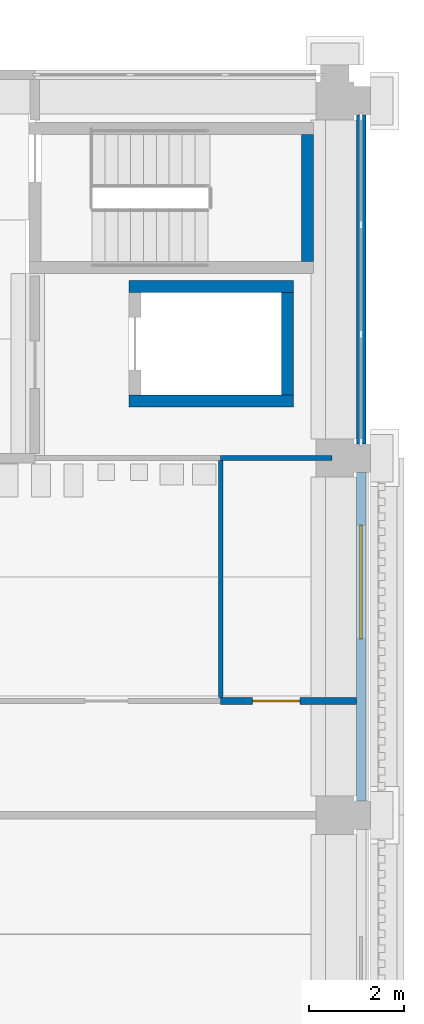
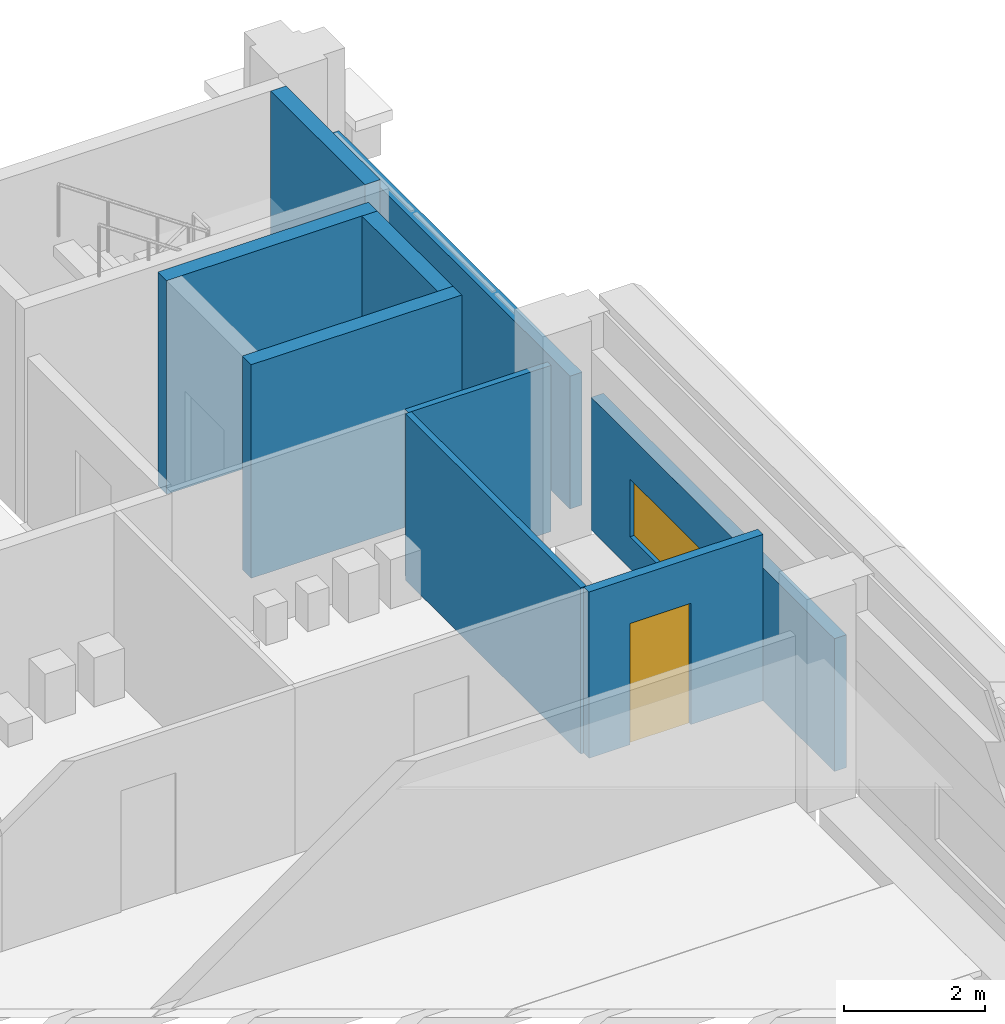
# One storey, part 37 of 71: 9 walls, 1 door, 1 window, 2 openings.
"""IFC4 building model written with IfcOpenShell, lengths in metres."""

import ifcopenshell
import ifcopenshell.guid

model = None  # the IFC model being written
_history = None  # IfcOwnerHistory: only IFC2X3 demands one
_inside = {}  # id of a spatial element -> (the spatial element, [elements in it])
_under = {}  # id of a project, library or spatial element -> (it, [spatial elements below it])
_declared = {}  # id of a project -> (the project, [libraries it declares])
_typed = {}  # id of a type object -> (the type object, [elements of that type])
_made_of = {}  # id of a material, layer set ... -> (it, [elements and type objects made of it])


def new_model(schema):
    """Start an empty IFC model of exactly this schema.

    Asked for "IFC4X3", IfcOpenShell would pick the latest addendum, in which some entities
    have other attributes; the version numbers below select the first issue.
    IFC2X3 requires an IfcOwnerHistory on every rooted entity: one is made here for all.
    """
    global model, _history
    if schema == "IFC4X3":
        model = ifcopenshell.file(schema_version=(4, 3, 0, 0))
    else:
        model = ifcopenshell.file(schema=schema)
    _inside.clear()
    _under.clear()
    _declared.clear()
    _typed.clear()
    _made_of.clear()
    _history = None
    if model.schema == "IFC2X3":
        org = make("IfcOrganization", Name="unknown")
        user = make(
            "IfcPersonAndOrganization",
            ThePerson=make("IfcPerson", FamilyName="unknown"),
            TheOrganization=org,
        )
        app = make(
            "IfcApplication",
            ApplicationDeveloper=org,
            Version="unknown",
            ApplicationFullName="unknown",
            ApplicationIdentifier="unknown",
        )
        _history = make(
            "IfcOwnerHistory",
            OwningUser=user,
            OwningApplication=app,
            ChangeAction="ADDED",
            CreationDate=0,
        )
    return model


def make(cls, **values):
    """One entity of the class cls with the attributes given. An attribute that is None is left unset."""
    return model.create_entity(
        cls, **{name: value for name, value in values.items() if value is not None}
    )


def rooted(cls, **values):
    """An entity with a GlobalId (a new one), such as an element, a storey or a relation."""
    return make(cls, GlobalId=ifcopenshell.guid.new(), OwnerHistory=_history, **values)


def si_unit(unit_type, name, prefix=None):
    """IfcSIUnit, for example si_unit("LENGTHUNIT", "METRE", prefix="MILLI")."""
    return make("IfcSIUnit", UnitType=unit_type, Prefix=prefix, Name=name)


def assignment(units):
    """IfcUnitAssignment: the units of a project."""
    return None if units is None else make("IfcUnitAssignment", Units=units)


def point(xyz):
    """IfcCartesianPoint."""
    return None if xyz is None else make("IfcCartesianPoint", Coordinates=xyz)


def direction(xyz):
    """IfcDirection."""
    return None if xyz is None else make("IfcDirection", DirectionRatios=xyz)


def frame(location, z_axis=None, x_axis=None):
    """IfcAxis2Placement3D, a coordinate frame: its origin and axes. An axis left out is left unset."""
    return make(
        "IfcAxis2Placement3D",
        Location=point(location),
        Axis=direction(z_axis),
        RefDirection=direction(x_axis),
    )


def frame_2d(location, x_axis=None):
    """IfcAxis2Placement2D, a coordinate frame in the plane: its origin and x axis."""
    return make(
        "IfcAxis2Placement2D", Location=point(location), RefDirection=direction(x_axis)
    )


def origin():
    """The frame at (0, 0, 0) with its axes left unset."""
    return frame((0.0, 0.0, 0.0))


def place(relative_to, where):
    """IfcLocalPlacement: puts the frame where relative to a parent placement (None: the world)."""
    return make(
        "IfcLocalPlacement", PlacementRelTo=relative_to, RelativePlacement=where
    )


def context(
    kind, dimensions, precision=None, world=None, true_north=None, identifier=None
):
    """IfcGeometricRepresentationContext, for example the 3D "Model" context."""
    return make(
        "IfcGeometricRepresentationContext",
        ContextIdentifier=identifier,
        ContextType=kind,
        CoordinateSpaceDimension=dimensions,
        Precision=precision,
        WorldCoordinateSystem=world,
        TrueNorth=true_north,
    )


def subcontext(parent, identifier, kind, view, scale=None):
    """IfcGeometricRepresentationSubContext, for example "Body" below "Model"."""
    return make(
        "IfcGeometricRepresentationSubContext",
        ContextIdentifier=identifier,
        ContextType=kind,
        ParentContext=parent,
        TargetScale=scale,
        TargetView=view,
    )


def project(units=None, contexts=None):
    """IfcProject with its units and contexts."""
    return rooted(
        "IfcProject",
        Name="project",
        RepresentationContexts=contexts,
        UnitsInContext=assignment(units),
    )


def spatial(cls, under=None, at=None, **own):
    """A site, building, storey or space (cls), placed at a placement, below another one or the project."""
    s = rooted(cls, ObjectPlacement=at, **own)
    if under is not None:
        _under.setdefault(under.id(), (under, []))[1].append(s)
    return s


def profile(cls, at=None, kind="AREA", **sizes):
    """A parametric profile (cls). Its sizes go by their IFC names, for example OverallWidth=200.0."""
    return make(cls, ProfileType=kind, Position=at, **sizes)


def rectangle(**sizes):
    """IfcRectangleProfileDef."""
    return profile("IfcRectangleProfileDef", **sizes)


def extrude(swept, where, along, depth):
    """IfcExtrudedAreaSolid: the profile swept, set in the frame where, extruded along a direction by depth."""
    return make(
        "IfcExtrudedAreaSolid",
        SweptArea=swept,
        Position=where,
        ExtrudedDirection=direction(along),
        Depth=depth,
    )


def shape(context_of_items, identifier, shape_type, items):
    """IfcShapeRepresentation: the items that make up one representation, for example the "Body"."""
    return make(
        "IfcShapeRepresentation",
        ContextOfItems=context_of_items,
        RepresentationIdentifier=identifier,
        RepresentationType=shape_type,
        Items=items,
    )


def material(Name=None, Category=None):
    """IfcMaterial."""
    return make("IfcMaterial", Name=Name, Category=Category)


def layer(
    of_material, thickness, ventilated=None, Name=None, Category=None, Priority=None
):
    """IfcMaterialLayer: one layer of a wall or slab, of a material (None: an air gap)."""
    return make(
        "IfcMaterialLayer",
        Material=of_material,
        LayerThickness=thickness,
        IsVentilated=ventilated,
        Name=Name,
        Category=Category,
        Priority=Priority,
    )


def layer_set(layers, Name=None):
    """IfcMaterialLayerSet."""
    return make("IfcMaterialLayerSet", MaterialLayers=layers, LayerSetName=Name)


def made_of(thing, what):
    """Note that an element or type object is made of a material, layer set ...; save() writes the relation."""
    if what is not None:
        _made_of.setdefault(what.id(), (what, []))[1].append(thing)
    return thing


def type_object(cls, material=None, **own):
    """A type object (cls), such as IfcWallType, which elements share."""
    return made_of(rooted(cls, **own), material)


def element(
    cls,
    number,
    at=None,
    inside=None,
    cuts=None,
    type_object=None,
    material=None,
    context=None,
    identifier="Body",
    shape_type=None,
    held_by="IfcProductDefinitionShape",
    body=None,
    shapes=None,
    **own,
):
    """One element of the class cls, such as IfcWall. Its Tag is "e" and its number.

    at: its placement. inside: the storey or other place that contains it. cuts: it is an
    opening in that element (IfcRelVoidsElement). A single representation is given by context,
    identifier, shape_type and body (its items); several are given by shapes. held_by: the class
    of the entity that holds the representations. save() writes the other relations.
    """
    e = rooted(cls, Tag="e%d" % number, ObjectPlacement=at, **own)
    if body is not None:
        shapes = [shape(context, identifier, shape_type, body)]
    if shapes is not None:
        e.Representation = make(held_by, Representations=shapes)
    if inside is not None:
        _inside.setdefault(inside.id(), (inside, []))[1].append(e)
    if cuts is not None:
        rooted(
            "IfcRelVoidsElement", RelatingBuildingElement=cuts, RelatedOpeningElement=e
        )
    if type_object is not None:
        _typed.setdefault(type_object.id(), (type_object, []))[1].append(e)
    return made_of(e, material)


def fill(opening, filler):
    """IfcRelFillsElement: the door or window that sits in an opening."""
    return rooted(
        "IfcRelFillsElement",
        RelatingOpeningElement=opening,
        RelatedBuildingElement=filler,
    )


def aggregate(whole, parts):
    """IfcRelAggregates: a whole, such as a stair, and the parts it consists of."""
    return rooted("IfcRelAggregates", RelatingObject=whole, RelatedObjects=parts)


def save(model, path):
    """Write the relations noted so far, then the file.

    IfcRelAggregates (storeys below a building ...), IfcRelContainedInSpatialStructure (elements
    in a storey), IfcRelDefinesByType, IfcRelAssociatesMaterial and IfcRelDeclares: one each for
    every whole, place, type object, material and project.
    """
    for whole, parts in _under.values():
        aggregate(whole, parts)
    for where, things in _inside.values():
        rooted(
            "IfcRelContainedInSpatialStructure",
            RelatedElements=things,
            RelatingStructure=where,
        )
    for kind, things in _typed.values():
        rooted("IfcRelDefinesByType", RelatedObjects=things, RelatingType=kind)
    for what, things in _made_of.values():
        rooted("IfcRelAssociatesMaterial", RelatedObjects=things, RelatingMaterial=what)
    for by, libraries in _declared.values():
        rooted("IfcRelDeclares", RelatingContext=by, RelatedDefinitions=libraries)
    model.write(path)


model = new_model("IFC4")

# Units and contexts
model_context = context("Model", 3, precision=1e-05, world=origin(), true_north=direction((0.0, 1.0)))
body_context = subcontext(model_context, "Body", "Model", "MODEL_VIEW")
ifc_project = project(units=[si_unit("LENGTHUNIT", "METRE"), si_unit("AREAUNIT", "SQUARE_METRE"), si_unit("VOLUMEUNIT", "CUBIC_METRE"), si_unit("PLANEANGLEUNIT", "RADIAN"), si_unit("MASSUNIT", "GRAM", prefix="KILO")], contexts=[model_context])

# Site, building, storey
site_placement = place(None, origin())
site = spatial("IfcSite", under=ifc_project, at=site_placement, CompositionType="ELEMENT")
building_placement = place(site_placement, origin())
building = spatial("IfcBuilding", under=site, at=building_placement, Name="Cour d'Honneur Mobility Palace", CompositionType="ELEMENT")
storey_placement = place(building_placement, frame((0.0, 0.0, 15.60009765625)))
storey = spatial("IfcBuildingStorey", under=building, at=storey_placement, Name="L04", CompositionType="ELEMENT", Elevation=15.60009765625)

# Walls
ifc_material_1 = material(Name="Concrete C50", Category="concrete")
ifc_layer_1 = layer(ifc_material_1, 0.25)
ifc_layer_set_1 = layer_set([ifc_layer_1], Name="Concrete C50")
wall_type_1 = type_object("IfcWallType", Name="Lift shaft wall 250", PredefinedType="SHEAR", material=ifc_layer_set_1)
for number, where, z_axis, x_axis, name in (
    (1, (157.97509765625, 108.60009765625, 0.0), (0.0, 0.0, 1.0), (1.0, 0.0, 0.0), "Lift shaft wall WL-NE1 L04"),
    (2, (157.97509765625, 111.0, 0.0), (0.0, 0.0, 1.0), (1.0, 0.0, 0.0), "Lift shaft wall WL-NE2 L04"),
):
    element("IfcWall", number, at=place(storey_placement, frame(where, z_axis=z_axis, x_axis=x_axis)), inside=storey, type_object=wall_type_1, Name=name, PredefinedType="SHEAR", context=body_context, shape_type="SweptSolid", body=[
        extrude(rectangle(XDim=3.449951171875, YDim=0.25, at=frame_2d((1.72509765625, 0.0))), origin(), (0.0, 0.0, 1.0), 3.699951171875),
    ])
wall_1_placement = place(storey_placement, frame((161.300048828125, 108.72509765625, 0.0), z_axis=(0.0, 0.0, 1.0), x_axis=(0.0, 1.0, 0.0)))
element("IfcWall", 3, at=wall_1_placement, inside=storey, type_object=wall_type_1, Name="Lift shaft wall WL-NE7 L04", PredefinedType="SHEAR", context=body_context, shape_type="SweptSolid", body=[
    extrude(rectangle(XDim=2.14990234375, YDim=0.25, at=frame_2d((1.074951171875, 0.0))), origin(), (0.0, 0.0, 1.0), 3.699951171875),
])
ifc_material_2 = material(Name="Gypsum plasterboard")
ifc_layer_2 = layer(ifc_material_2, 0.10009765625)
ifc_layer_set_2 = layer_set([ifc_layer_2], Name="Gypsum plasterboard")
wall_type_2 = type_object("IfcWallType", Name="Partition 100", PredefinedType="PARTITIONING", material=ifc_layer_set_2)
wall_2_placement = place(storey_placement, frame((159.89990234375, 107.35009765625, 0.0), z_axis=(0.0, 0.0, 1.0), x_axis=(0.0, -1.0, 0.0)))
element("IfcWall", 4, at=wall_2_placement, inside=storey, type_object=wall_type_2, Name="Partition 103", PredefinedType="PARTITIONING", context=body_context, shape_type="SweptSolid", body=[
    extrude(rectangle(XDim=4.97509765625, YDim=0.10009765625, at=frame_2d((2.487548828125, 0.0))), origin(), (0.0, 0.0, 1.0), 2.8798828125),
])
wall_3_placement = place(storey_placement, frame((162.239990234375, 107.39990234375, 0.0), z_axis=(0.0, 0.0, 1.0), x_axis=(-1.0, 0.0, 0.0)))
element("IfcWall", 5, at=wall_3_placement, inside=storey, type_object=wall_type_2, Name="Partition 105", PredefinedType="PARTITIONING", context=body_context, shape_type="SweptSolid", body=[
    extrude(rectangle(XDim=2.340087890625, YDim=0.10009765625, at=frame_2d((1.169921875, 0.0))), origin(), (0.0, 0.0, 1.0), 2.8798828125),
])

# Wall, opening, door
ifc_material_3 = material(Name="Gypsum plasterboard")
ifc_layer_3 = layer(ifc_material_3, 0.14990234375)
ifc_layer_set_3 = layer_set([ifc_layer_3], Name="Gypsum plasterboard")
wall_type_3 = type_object("IfcWallType", Name="Partition 150 rated EI 60", PredefinedType="PARTITIONING", material=ifc_layer_set_3)
wall_4_placement = place(storey_placement, frame((162.75, 102.300048828125, 0.0), z_axis=(0.0, 0.0, 1.0), x_axis=(-1.0, 0.0, 0.0)))
wall_4 = element("IfcWall", 6, at=wall_4_placement, inside=storey, type_object=wall_type_3, Name="Partition 087", PredefinedType="PARTITIONING", context=body_context, shape_type="SweptSolid", body=[
    extrude(rectangle(XDim=2.85009765625, YDim=0.14990234375, at=frame_2d((1.425048828125, 0.0))), origin(), (0.0, 0.0, 1.0), 2.8798828125),
])
opening_1_placement = place(wall_4_placement, frame((1.179931640625, 0.0, 0.0)))
opening_1 = element("IfcOpeningElement", 7, at=opening_1_placement, cuts=wall_4, Name="Opening D0433", PredefinedType="OPENING", context=body_context, shape_type="SweptSolid", body=[
    extrude(rectangle(XDim=1.0, YDim=2.10009765625, at=frame_2d((0.5, 1.050048828125))), frame((0.0, 0.0849609375, 0.0), z_axis=(0.0, -1.0, 0.0), x_axis=(1.0, 0.0, 0.0)), (0.0, 0.0, 1.0), 0.169921875),
])
ifc_material_4 = material(Name="Galvanised steel", Category="steel")
door_type = type_object("IfcDoorType", Name="Fire door FD60 1000 x 2100", OperationType="SINGLE_SWING_LEFT", PredefinedType="DOOR", material=ifc_material_4)
door_placement = place(opening_1_placement, origin())
door = element("IfcDoor", 8, at=door_placement, inside=storey, type_object=door_type, Name="Door Cleaner's Store East", OperationType="SINGLE_SWING_RIGHT", OverallHeight=2.10009765625, OverallWidth=1.0, PredefinedType="DOOR", context=body_context, shape_type="SweptSolid", body=[
    extrude(rectangle(XDim=1.0, YDim=2.10009765625, at=frame_2d((0.5, 1.050048828125))), frame((0.0, 0.02490234375, 0.0), z_axis=(0.0, -1.0, 0.0), x_axis=(1.0, 0.0, 0.0)), (0.0, 0.0, 1.0), 0.050048828125),
])
fill(opening_1, door)

# Wall, opening, window
ifc_material_5 = material(Name="Concrete C40", Category="concrete")
ifc_layer_4 = layer(ifc_material_5, 0.199951171875)
ifc_layer_set_4 = layer_set([ifc_layer_4], Name="Concrete C40")
wall_type_4 = type_object("IfcWallType", Name="Spandrel panel", PredefinedType="SOLIDWALL", material=ifc_layer_set_4)
wall_5_placement = place(storey_placement, frame((162.85009765625, 100.199951171875, 0.0), z_axis=(0.0, 0.0, 1.0), x_axis=(0.0, 1.0, 0.0)))
wall_5 = element("IfcWall", 9, at=wall_5_placement, inside=storey, type_object=wall_type_4, Name="Spandrel panel SW-62", PredefinedType="SOLIDWALL", context=body_context, shape_type="SweptSolid", body=[
    extrude(rectangle(XDim=6.900146484375, YDim=0.199951171875, at=frame_2d((3.4501953125, 0.0))), origin(), (0.0, 0.0, 1.0), 2.2998046875),
])
opening_2_placement = place(wall_5_placement, frame((3.39990234375, 0.0, 0.550048828125)))
opening_2 = element("IfcOpeningElement", 10, at=opening_2_placement, cuts=wall_5, Name="Opening W2-62", PredefinedType="OPENING", context=body_context, shape_type="SweptSolid", body=[
    extrude(rectangle(XDim=2.39990234375, YDim=1.0, at=frame_2d((1.199951171875, 0.5))), frame((0.0, 0.10986328125, 0.0), z_axis=(0.0, -1.0, 0.0), x_axis=(1.0, 0.0, 0.0)), (0.0, 0.0, 1.0), 0.219970703125),
])
ifc_material_6 = material(Name="Aluminium frame and glass", Category="aluminium")
window_type = type_object("IfcWindowType", Name="Gallery window W2", PartitioningType="TRIPLE_PANEL_VERTICAL", PredefinedType="WINDOW", material=ifc_material_6)
window_placement = place(opening_2_placement, origin())
window = element("IfcWindow", 11, at=window_placement, inside=storey, type_object=window_type, Name="Gallery window W2 W2-62", OverallHeight=1.0, OverallWidth=2.39990234375, PartitioningType="SINGLE_PANEL", PredefinedType="WINDOW", context=body_context, shape_type="SweptSolid", body=[
    extrude(rectangle(XDim=2.39990234375, YDim=1.0, at=frame_2d((1.199951171875, 0.5))), frame((0.0, 0.030029296875, 0.0), z_axis=(0.0, -1.0, 0.0), x_axis=(1.0, 0.0, 0.0)), (0.0, 0.0, 1.0), 0.06005859375),
])
fill(opening_2, window)

# Walls
wall_6_placement = place(storey_placement, frame((162.85009765625, 107.699951171875, 0.0), z_axis=(0.0, 0.0, 1.0), x_axis=(0.0, 1.0, 0.0)))
element("IfcWall", 12, at=wall_6_placement, inside=storey, type_object=wall_type_4, Name="Spandrel panel SW-63", PredefinedType="SOLIDWALL", context=body_context, shape_type="SweptSolid", body=[
    extrude(rectangle(XDim=6.900146484375, YDim=0.199951171875, at=frame_2d((3.4501953125, 0.0))), origin(), (0.0, 0.0, 1.0), 2.2998046875),
])
ifc_material_7 = material(Name="Concrete C50", Category="concrete")
ifc_layer_5 = layer(ifc_material_7, 0.25)
ifc_layer_set_5 = layer_set([ifc_layer_5], Name="Concrete C50")
wall_type_5 = type_object("IfcWallType", Name="Stair wall 250", PredefinedType="SHEAR", material=ifc_layer_set_5)
wall_7_placement = place(storey_placement, frame((161.72509765625, 111.52490234375, 0.0), z_axis=(0.0, 0.0, 1.0), x_axis=(0.0, 1.0, 0.0)))
element("IfcWall", 13, at=wall_7_placement, inside=storey, type_object=wall_type_5, Name="Stair wall WS-NE8 L04", PredefinedType="SHEAR", context=body_context, shape_type="SweptSolid", body=[
    extrude(rectangle(XDim=2.675048828125, YDim=0.25, at=frame_2d((1.33740234375, 0.0))), origin(), (0.0, 0.0, 1.0), 3.699951171875),
])

save(model, "model.ifc")
